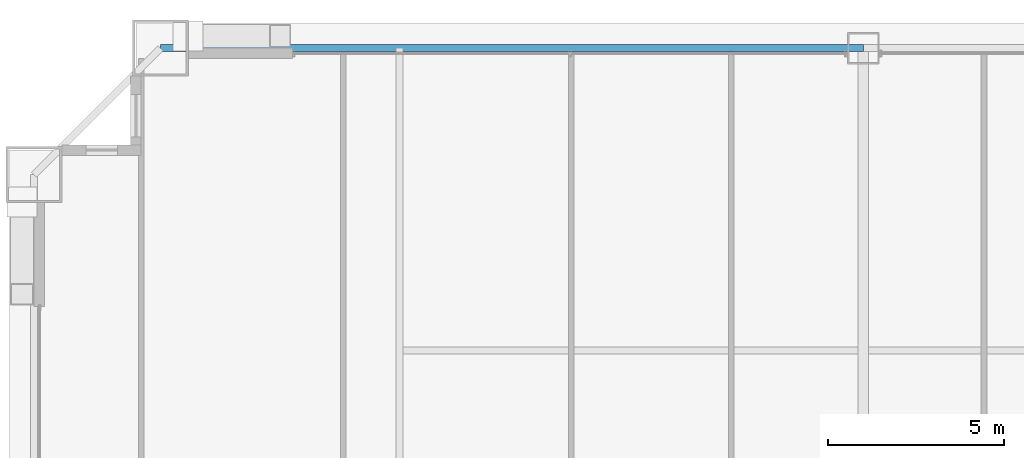
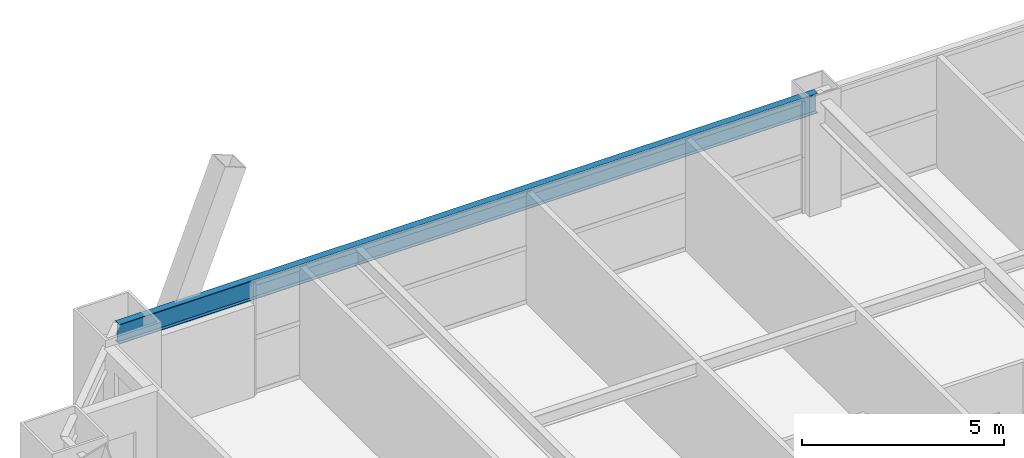
# One storey, part 28 of 43: 1 beam.
"""IFC4 building model written with IfcOpenShell, lengths in metres."""

from ifc_helpers import new_model, si_unit, direction, frame, origin, origin_2d, place, context, subcontext, project, spatial, i_section, extrude, source, transform, mapped, material, material_profile, profile_set, type_object, element, save


model = new_model("IFC4")

# Units and contexts
model_context = context("Model", 3, precision=1e-05, world=origin(), true_north=direction((0.0, 1.0)))
body_context = subcontext(model_context, "Body", "Model", "MODEL_VIEW")
ifc_project = project(units=[si_unit("LENGTHUNIT", "METRE"), si_unit("AREAUNIT", "SQUARE_METRE"), si_unit("VOLUMEUNIT", "CUBIC_METRE"), si_unit("PLANEANGLEUNIT", "RADIAN"), si_unit("MASSUNIT", "GRAM", prefix="KILO"), si_unit("THERMODYNAMICTEMPERATUREUNIT", "KELVIN"), si_unit("POWERUNIT", "WATT")], contexts=[model_context])

# Site, building, storey
site_placement = place(None, origin())
site = spatial("IfcSite", under=ifc_project, at=site_placement, CompositionType="ELEMENT")
building_placement = place(site_placement, origin())
building = spatial("IfcBuilding", under=site, at=building_placement, Name="Yuzanri Waterfront Tower", CompositionType="ELEMENT")
storey_placement = place(building_placement, frame((0.0, 0.0, 93.800048828125)))
storey = spatial("IfcBuildingStorey", under=building, at=storey_placement, Name="L24", CompositionType="ELEMENT", Elevation=93.800048828125)

# Beam
ifc_material = material(Name="Steel Q355B", Category="steel")
ifc_material_profile = material_profile(ifc_material, i_section(OverallWidth=0.199951171875, OverallDepth=0.60009765625, WebThickness=0.010986328125, FlangeThickness=0.01708984375, at=origin_2d()), Name="HN 600x200x11x17")
ifc_profile_set = profile_set([ifc_material_profile], Name="Steel Q355B")
beam_type = type_object("IfcBeamType", Name="Perimeter Spandrel Q355B HN 600x200", PredefinedType="SPANDREL", material=ifc_profile_set)
shared_shape = source(origin(), body_context, "Body", "SweptSolid", [
    extrude(i_section(OverallWidth=0.199951171875, OverallDepth=0.60009765625, WebThickness=0.010986328125, FlangeThickness=0.01708984375, at=origin_2d()), origin(), (0.0, 0.0, 1.0), 20.0),
])
beam_placement = place(storey_placement, frame((37.0, 49.39990234375, 3.079833984375), z_axis=(-1.0, 0.0, 0.0), x_axis=(0.0, -1.0, 0.0)))
element("IfcBeam", 1, at=beam_placement, inside=storey, type_object=beam_type, Name="L24 Perimeter Spandrel N2-N1", PredefinedType="SPANDREL", context=body_context, shape_type="MappedRepresentation", body=[
    mapped(shared_shape, transform((0.0, 0.0, 0.0), scale=1.0)),
])

save(model, "model.ifc")
